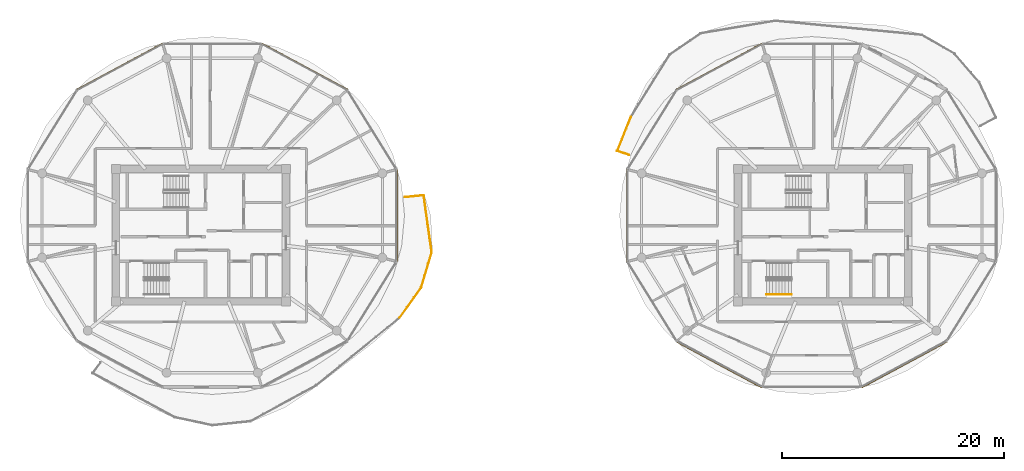
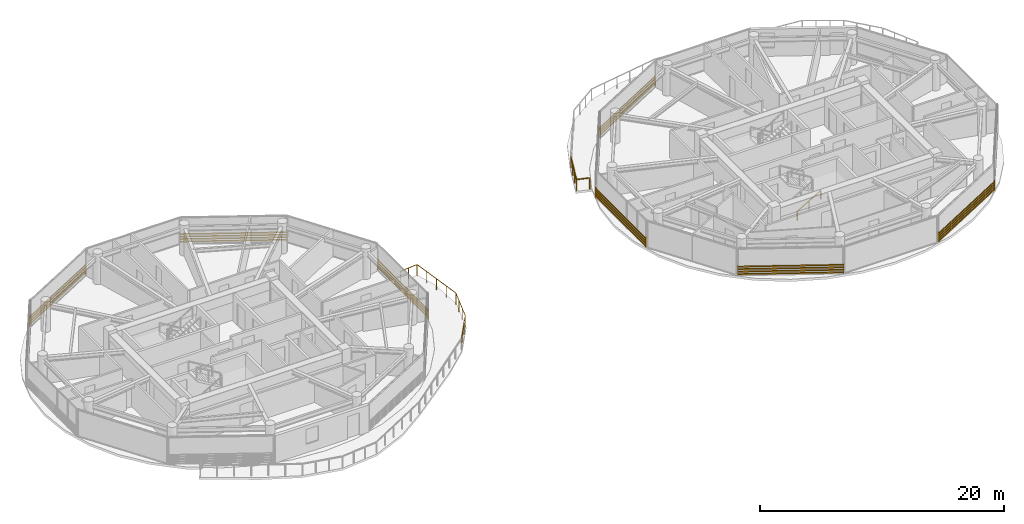
# One storey, part 20 of 22: 7 shading devices, 3 railings.
"""IFC4 building model written with IfcOpenShell, lengths in metres."""

import ifcopenshell
import ifcopenshell.guid

model = None  # the IFC model being written
_history = None  # IfcOwnerHistory: only IFC2X3 demands one
_inside = {}  # id of a spatial element -> (the spatial element, [elements in it])
_under = {}  # id of a project, library or spatial element -> (it, [spatial elements below it])
_declared = {}  # id of a project -> (the project, [libraries it declares])
_typed = {}  # id of a type object -> (the type object, [elements of that type])
_made_of = {}  # id of a material, layer set ... -> (it, [elements and type objects made of it])


def new_model(schema):
    """Start an empty IFC model of exactly this schema.

    Asked for "IFC4X3", IfcOpenShell would pick the latest addendum, in which some entities
    have other attributes; the version numbers below select the first issue.
    IFC2X3 requires an IfcOwnerHistory on every rooted entity: one is made here for all.
    """
    global model, _history
    if schema == "IFC4X3":
        model = ifcopenshell.file(schema_version=(4, 3, 0, 0))
    else:
        model = ifcopenshell.file(schema=schema)
    _inside.clear()
    _under.clear()
    _declared.clear()
    _typed.clear()
    _made_of.clear()
    _history = None
    if model.schema == "IFC2X3":
        org = make("IfcOrganization", Name="unknown")
        user = make(
            "IfcPersonAndOrganization",
            ThePerson=make("IfcPerson", FamilyName="unknown"),
            TheOrganization=org,
        )
        app = make(
            "IfcApplication",
            ApplicationDeveloper=org,
            Version="unknown",
            ApplicationFullName="unknown",
            ApplicationIdentifier="unknown",
        )
        _history = make(
            "IfcOwnerHistory",
            OwningUser=user,
            OwningApplication=app,
            ChangeAction="ADDED",
            CreationDate=0,
        )
    return model


def make(cls, **values):
    """One entity of the class cls with the attributes given. An attribute that is None is left unset."""
    return model.create_entity(
        cls, **{name: value for name, value in values.items() if value is not None}
    )


def rooted(cls, **values):
    """An entity with a GlobalId (a new one), such as an element, a storey or a relation."""
    return make(cls, GlobalId=ifcopenshell.guid.new(), OwnerHistory=_history, **values)


def si_unit(unit_type, name, prefix=None):
    """IfcSIUnit, for example si_unit("LENGTHUNIT", "METRE", prefix="MILLI")."""
    return make("IfcSIUnit", UnitType=unit_type, Prefix=prefix, Name=name)


def assignment(units):
    """IfcUnitAssignment: the units of a project."""
    return None if units is None else make("IfcUnitAssignment", Units=units)


def point(xyz):
    """IfcCartesianPoint."""
    return None if xyz is None else make("IfcCartesianPoint", Coordinates=xyz)


def direction(xyz):
    """IfcDirection."""
    return None if xyz is None else make("IfcDirection", DirectionRatios=xyz)


def frame(location, z_axis=None, x_axis=None):
    """IfcAxis2Placement3D, a coordinate frame: its origin and axes. An axis left out is left unset."""
    return make(
        "IfcAxis2Placement3D",
        Location=point(location),
        Axis=direction(z_axis),
        RefDirection=direction(x_axis),
    )


def frame_2d(location, x_axis=None):
    """IfcAxis2Placement2D, a coordinate frame in the plane: its origin and x axis."""
    return make(
        "IfcAxis2Placement2D", Location=point(location), RefDirection=direction(x_axis)
    )


def origin():
    """The frame at (0, 0, 0) with its axes left unset."""
    return frame((0.0, 0.0, 0.0))


def origin_2d():
    """The frame at (0, 0) in the plane with its x axis left unset."""
    return frame_2d((0.0, 0.0))


def place(relative_to, where):
    """IfcLocalPlacement: puts the frame where relative to a parent placement (None: the world)."""
    return make(
        "IfcLocalPlacement", PlacementRelTo=relative_to, RelativePlacement=where
    )


def context(
    kind, dimensions, precision=None, world=None, true_north=None, identifier=None
):
    """IfcGeometricRepresentationContext, for example the 3D "Model" context."""
    return make(
        "IfcGeometricRepresentationContext",
        ContextIdentifier=identifier,
        ContextType=kind,
        CoordinateSpaceDimension=dimensions,
        Precision=precision,
        WorldCoordinateSystem=world,
        TrueNorth=true_north,
    )


def subcontext(parent, identifier, kind, view, scale=None):
    """IfcGeometricRepresentationSubContext, for example "Body" below "Model"."""
    return make(
        "IfcGeometricRepresentationSubContext",
        ContextIdentifier=identifier,
        ContextType=kind,
        ParentContext=parent,
        TargetScale=scale,
        TargetView=view,
    )


def project(units=None, contexts=None):
    """IfcProject with its units and contexts."""
    return rooted(
        "IfcProject",
        Name="project",
        RepresentationContexts=contexts,
        UnitsInContext=assignment(units),
    )


def spatial(cls, under=None, at=None, **own):
    """A site, building, storey or space (cls), placed at a placement, below another one or the project."""
    s = rooted(cls, ObjectPlacement=at, **own)
    if under is not None:
        _under.setdefault(under.id(), (under, []))[1].append(s)
    return s


def profile(cls, at=None, kind="AREA", **sizes):
    """A parametric profile (cls). Its sizes go by their IFC names, for example OverallWidth=200.0."""
    return make(cls, ProfileType=kind, Position=at, **sizes)


def rectangle(**sizes):
    """IfcRectangleProfileDef."""
    return profile("IfcRectangleProfileDef", **sizes)


def extrude(swept, where, along, depth):
    """IfcExtrudedAreaSolid: the profile swept, set in the frame where, extruded along a direction by depth."""
    return make(
        "IfcExtrudedAreaSolid",
        SweptArea=swept,
        Position=where,
        ExtrudedDirection=direction(along),
        Depth=depth,
    )


def shape(context_of_items, identifier, shape_type, items):
    """IfcShapeRepresentation: the items that make up one representation, for example the "Body"."""
    return make(
        "IfcShapeRepresentation",
        ContextOfItems=context_of_items,
        RepresentationIdentifier=identifier,
        RepresentationType=shape_type,
        Items=items,
    )


def source(mapping_origin, context_of_items, identifier, shape_type, items):
    """IfcRepresentationMap: a shape defined once, which mapped items show again and again."""
    return make(
        "IfcRepresentationMap",
        MappingOrigin=mapping_origin,
        MappedRepresentation=shape(context_of_items, identifier, shape_type, items),
    )


def transform(
    local_origin,
    x_axis=None,
    y_axis=None,
    z_axis=None,
    scale=None,
    scale2=None,
    scale3=None,
    uniform=True,
):
    """IfcCartesianTransformationOperator3D, or its non-uniform kind. x_axis, y_axis, z_axis: its Axis1, 2, 3."""
    if uniform:
        return make(
            "IfcCartesianTransformationOperator3D",
            Axis1=direction(x_axis),
            Axis2=direction(y_axis),
            LocalOrigin=point(local_origin),
            Scale=scale,
            Axis3=direction(z_axis),
        )
    return make(
        "IfcCartesianTransformationOperator3DnonUniform",
        Axis1=direction(x_axis),
        Axis2=direction(y_axis),
        LocalOrigin=point(local_origin),
        Scale=scale,
        Axis3=direction(z_axis),
        Scale2=scale2,
        Scale3=scale3,
    )


def mapped(mapping_source, mapping_target):
    """IfcMappedItem: shows the shape of a source again, moved by a transform."""
    return make(
        "IfcMappedItem", MappingSource=mapping_source, MappingTarget=mapping_target
    )


def material(Name=None, Category=None):
    """IfcMaterial."""
    return make("IfcMaterial", Name=Name, Category=Category)


def made_of(thing, what):
    """Note that an element or type object is made of a material, layer set ...; save() writes the relation."""
    if what is not None:
        _made_of.setdefault(what.id(), (what, []))[1].append(thing)
    return thing


def type_object(cls, material=None, **own):
    """A type object (cls), such as IfcWallType, which elements share."""
    return made_of(rooted(cls, **own), material)


def type_shapes(of_type, sources):
    """Give a type object the sources (RepresentationMaps) that its elements show as mapped items."""
    of_type.RepresentationMaps = sources


def element(
    cls,
    number,
    at=None,
    inside=None,
    cuts=None,
    type_object=None,
    material=None,
    context=None,
    identifier="Body",
    shape_type=None,
    held_by="IfcProductDefinitionShape",
    body=None,
    shapes=None,
    **own,
):
    """One element of the class cls, such as IfcWall. Its Tag is "e" and its number.

    at: its placement. inside: the storey or other place that contains it. cuts: it is an
    opening in that element (IfcRelVoidsElement). A single representation is given by context,
    identifier, shape_type and body (its items); several are given by shapes. held_by: the class
    of the entity that holds the representations. save() writes the other relations.
    """
    e = rooted(cls, Tag="e%d" % number, ObjectPlacement=at, **own)
    if body is not None:
        shapes = [shape(context, identifier, shape_type, body)]
    if shapes is not None:
        e.Representation = make(held_by, Representations=shapes)
    if inside is not None:
        _inside.setdefault(inside.id(), (inside, []))[1].append(e)
    if cuts is not None:
        rooted(
            "IfcRelVoidsElement", RelatingBuildingElement=cuts, RelatedOpeningElement=e
        )
    if type_object is not None:
        _typed.setdefault(type_object.id(), (type_object, []))[1].append(e)
    return made_of(e, material)


def aggregate(whole, parts):
    """IfcRelAggregates: a whole, such as a stair, and the parts it consists of."""
    return rooted("IfcRelAggregates", RelatingObject=whole, RelatedObjects=parts)


def save(model, path):
    """Write the relations noted so far, then the file.

    IfcRelAggregates (storeys below a building ...), IfcRelContainedInSpatialStructure (elements
    in a storey), IfcRelDefinesByType, IfcRelAssociatesMaterial and IfcRelDeclares: one each for
    every whole, place, type object, material and project.
    """
    for whole, parts in _under.values():
        aggregate(whole, parts)
    for where, things in _inside.values():
        rooted(
            "IfcRelContainedInSpatialStructure",
            RelatedElements=things,
            RelatingStructure=where,
        )
    for kind, things in _typed.values():
        rooted("IfcRelDefinesByType", RelatedObjects=things, RelatingType=kind)
    for what, things in _made_of.values():
        rooted("IfcRelAssociatesMaterial", RelatedObjects=things, RelatingMaterial=what)
    for by, libraries in _declared.values():
        rooted("IfcRelDeclares", RelatingContext=by, RelatedDefinitions=libraries)
    model.write(path)


model = new_model("IFC4")

# Units and contexts
model_context = context("Model", 3, precision=1e-05, world=origin(), true_north=direction((0.0, 1.0)))
body_context = subcontext(model_context, "Body", "Model", "MODEL_VIEW")
ifc_project = project(units=[si_unit("LENGTHUNIT", "METRE"), si_unit("AREAUNIT", "SQUARE_METRE"), si_unit("VOLUMEUNIT", "CUBIC_METRE"), si_unit("PLANEANGLEUNIT", "RADIAN"), si_unit("MASSUNIT", "GRAM", prefix="KILO")], contexts=[model_context])

# Site, building, storey
site_placement = place(None, origin())
site = spatial("IfcSite", under=ifc_project, at=site_placement, CompositionType="ELEMENT")
building_placement = place(site_placement, origin())
building = spatial("IfcBuilding", under=site, at=building_placement, Name="Norrkilde Senior Care Towers", CompositionType="ELEMENT")
storey_placement = place(building_placement, frame((0.0, 0.0, 183.10009765625)))
storey = spatial("IfcBuildingStorey", under=building, at=storey_placement, Name="L57", CompositionType="ELEMENT", Elevation=183.10009765625)

# Railings
ifc_material_1 = material(Name="Anodised Aluminium", Category="aluminium")
railing_type_1 = type_object("IfcRailingType", Name="Balcony Swirl Ribbon Guardrail 1150", PredefinedType="GUARDRAIL", material=ifc_material_1)
railing_1_placement = place(storey_placement, frame((10.517333984375, 7.234375, 0.0)))
element("IfcRailing", 1, at=railing_1_placement, inside=storey, type_object=railing_type_1, Name="L57 Perimeter Safety Guard 02", PredefinedType="GUARDRAIL", context=body_context, shape_type="SweptSolid", body=[
    extrude(rectangle(XDim=0.048095703125, YDim=0.048095703125, at=origin_2d()), frame((0.0, 0.0, 1.1259765625), z_axis=(-0.950548119917, 0.310577320038, 0.0), x_axis=(-0.310577320038, -0.950548119917, 0.0)), (0.0, 0.0, 1.0), 1.06201171875),
    extrude(rectangle(XDim=0.048095703125, YDim=0.048095703125, at=origin_2d()), frame((-1.033203125, 0.38037109375, 1.1259765625), z_axis=(0.373175101878, 0.927760930056, 0.0), x_axis=(-0.927760930056, 0.373175101878, 0.0)), (0.0, 0.0, 1.0), 3.26025390625),
    extrude(rectangle(XDim=0.0419921875, YDim=0.0419921875, at=origin_2d()), origin(), (0.0, 0.0, 1.0), 1.099853515625),
    extrude(rectangle(XDim=0.0419921875, YDim=0.0419921875, at=origin_2d()), frame((-1.04833984375, 0.342529296875, 0.0)), (0.0, 0.0, 1.0), 1.099853515625),
    extrude(rectangle(XDim=0.0419921875, YDim=0.0419921875, at=origin_2d()), frame((-0.6376953125, 1.363525390625, 0.0)), (0.0, 0.0, 1.0), 1.099853515625),
    extrude(rectangle(XDim=0.0419921875, YDim=0.0419921875, at=origin_2d()), frame((-0.22705078125, 2.38427734375, 0.0)), (0.0, 0.0, 1.0), 1.099853515625),
    extrude(rectangle(XDim=0.0419921875, YDim=0.0419921875, at=origin_2d()), frame((0.18359375, 3.4052734375, 0.0)), (0.0, 0.0, 1.0), 1.099853515625),
])
railing_2_placement = place(storey_placement, frame((-9.64892578125, 3.422119140625, 0.0)))
element("IfcRailing", 2, at=railing_2_placement, inside=storey, type_object=railing_type_1, Name="L57 Perimeter Safety Guard 04", PredefinedType="GUARDRAIL", context=body_context, shape_type="SweptSolid", body=[
    extrude(rectangle(XDim=0.048095703125, YDim=0.048095703125, at=origin_2d()), frame((0.0, 0.0, 1.1259765625), z_axis=(0.995055514485, 0.099320305541, 0.0), x_axis=(-0.099320305541, 0.995055514485, 0.0)), (0.0, 0.0, 1.0), 1.67236328125),
    extrude(rectangle(XDim=0.048095703125, YDim=0.048095703125, at=origin_2d()), frame((1.71044921875, 0.129638671875, 1.1259765625), z_axis=(0.138828957945, -0.990316373911, 0.0), x_axis=(0.990316373911, 0.138828957945, 0.0)), (0.0, 0.0, 1.0), 5.100830078125),
    extrude(rectangle(XDim=0.048095703125, YDim=0.048095703125, at=origin_2d()), frame((2.41259765625, -5.001220703125, 1.1259765625), z_axis=(-0.286402585001, -0.95810936709, 0.0), x_axis=(0.95810936709, -0.286402585001, 0.0)), (0.0, 0.0, 1.0), 3.23583984375),
    extrude(rectangle(XDim=0.048095703125, YDim=0.048095703125, at=origin_2d()), frame((1.450439453125, -8.174072265625, 1.1259765625), z_axis=(-0.58150879308, -0.813540117984, 0.0), x_axis=(0.813540117984, -0.58150879308, 0.0)), (0.0, 0.0, 1.0), 3.287109375),
    extrude(rectangle(XDim=0.0419921875, YDim=0.0419921875, at=origin_2d()), origin(), (0.0, 0.0, 1.0), 1.099853515625),
    extrude(rectangle(XDim=0.0419921875, YDim=0.0419921875, at=origin_2d()), frame((0.8525390625, 0.0849609375, 0.0)), (0.0, 0.0, 1.0), 1.099853515625),
    extrude(rectangle(XDim=0.0419921875, YDim=0.0419921875, at=origin_2d()), frame((1.704833984375, 0.170166015625, 0.0)), (0.0, 0.0, 1.0), 1.099853515625),
    extrude(rectangle(XDim=0.0419921875, YDim=0.0419921875, at=origin_2d()), frame((1.884765625, -1.11279296875, 0.0)), (0.0, 0.0, 1.0), 1.099853515625),
    extrude(rectangle(XDim=0.0419921875, YDim=0.0419921875, at=origin_2d()), frame((2.064453125, -2.39599609375, 0.0)), (0.0, 0.0, 1.0), 1.099853515625),
    extrude(rectangle(XDim=0.0419921875, YDim=0.0419921875, at=origin_2d()), frame((2.244384765625, -3.67919921875, 0.0)), (0.0, 0.0, 1.0), 1.099853515625),
    extrude(rectangle(XDim=0.0419921875, YDim=0.0419921875, at=origin_2d()), frame((2.42431640625, -4.962158203125, 0.0)), (0.0, 0.0, 1.0), 1.099853515625),
    extrude(rectangle(XDim=0.0419921875, YDim=0.0419921875, at=origin_2d()), frame((2.107666015625, -6.021728515625, 0.0)), (0.0, 0.0, 1.0), 1.099853515625),
    extrude(rectangle(XDim=0.0419921875, YDim=0.0419921875, at=origin_2d()), frame((1.790771484375, -7.081298828125, 0.0)), (0.0, 0.0, 1.0), 1.099853515625),
    extrude(rectangle(XDim=0.0419921875, YDim=0.0419921875, at=origin_2d()), frame((1.47412109375, -8.140869140625, 0.0)), (0.0, 0.0, 1.0), 1.099853515625),
    extrude(rectangle(XDim=0.0419921875, YDim=0.0419921875, at=origin_2d()), frame((0.8291015625, -9.04345703125, 0.0)), (0.0, 0.0, 1.0), 1.099853515625),
    extrude(rectangle(XDim=0.0419921875, YDim=0.0419921875, at=origin_2d()), frame((0.183837890625, -9.94580078125, 0.0)), (0.0, 0.0, 1.0), 1.099853515625),
    extrude(rectangle(XDim=0.0419921875, YDim=0.0419921875, at=origin_2d()), frame((-0.461181640625, -10.848388671875, 0.0)), (0.0, 0.0, 1.0), 1.099853515625),
])
ifc_material_2 = material(Name="Nordic Ash Timber", Category="wood")
railing_type_2 = type_object("IfcRailingType", Name="Wall and Stair Handrail 900", PredefinedType="HANDRAIL", material=ifc_material_2)
railing_3_placement = place(storey_placement, frame((22.89990234375, -5.35009765625, 0.16943359375)))
element("IfcRailing", 3, at=railing_3_placement, inside=storey, type_object=railing_type_2, Name="L57 ST-E2 stair handrail 1", PredefinedType="HANDRAIL", context=body_context, shape_type="SweptSolid", body=[
    extrude(rectangle(XDim=0.048095703125, YDim=0.048095703125, at=origin_2d()), frame((0.0, 0.0, 0.8759765625), z_axis=(0.855553338991, 0.0, 0.51771467445), x_axis=(0.0, 1.0, 0.0)), (0.0, 0.0, 1.0), 2.6181640625),
    extrude(rectangle(XDim=0.0419921875, YDim=0.0419921875, at=origin_2d()), origin(), (0.0, 0.0, 1.0), 0.849853515625),
    extrude(rectangle(XDim=0.0419921875, YDim=0.0419921875, at=origin_2d()), frame((1.1201171875, 0.0, 0.677734375)), (0.0, 0.0, 1.0), 0.849853515625),
    extrude(rectangle(XDim=0.0419921875, YDim=0.0419921875, at=origin_2d()), frame((2.239990234375, 0.0, 1.35546875)), (0.0, 0.0, 1.0), 0.849853515625),
])

# Shading devices
ifc_material_3 = material(Name="Architectural Terracotta", Category="masonry")
shading_device_type = type_object("IfcShadingDeviceType", Name="Horizontal Terracotta Baguette Rack", PredefinedType="USERDEFINED", material=ifc_material_3)
shared_shape_1 = source(origin(), body_context, "Body", "SweptSolid", [
    extrude(rectangle(XDim=0.070068359375, YDim=0.110107421875, at=origin_2d()), frame((0.0, 0.090087890625, 0.125), z_axis=(1.0, 0.0, 0.0), x_axis=(0.0, 1.0, 0.0)), (0.0, 0.0, 1.0), 8.741943359375),
    extrude(rectangle(XDim=0.070068359375, YDim=0.110107421875, at=origin_2d()), frame((0.0, 0.090087890625, 0.375), z_axis=(1.0, 0.0, 0.0), x_axis=(0.0, 1.0, 0.0)), (0.0, 0.0, 1.0), 8.741943359375),
    extrude(rectangle(XDim=0.070068359375, YDim=0.110107421875, at=origin_2d()), frame((0.0, 0.090087890625, 0.625), z_axis=(1.0, 0.0, 0.0), x_axis=(0.0, 1.0, 0.0)), (0.0, 0.0, 1.0), 8.741943359375),
    extrude(rectangle(XDim=0.070068359375, YDim=0.110107421875, at=origin_2d()), frame((0.0, 0.090087890625, 0.875), z_axis=(1.0, 0.0, 0.0), x_axis=(0.0, 1.0, 0.0)), (0.0, 0.0, 1.0), 8.741943359375),
    extrude(rectangle(XDim=0.050048828125, YDim=0.1552734375, at=origin_2d()), frame((0.02490234375, 0.047607421875, 0.0)), (0.0, 0.0, 1.0), 1.0),
    extrude(rectangle(XDim=0.050048828125, YDim=0.1552734375, at=origin_2d()), frame((8.716796875, 0.047607421875, 0.0)), (0.0, 0.0, 1.0), 1.0),
])
for number, where, z_axis, x_axis, name in (
    (4, (-22.528564453125, 17.2109375, 0.079833984375), (0.0, 0.0, 1.0), (0.881000921608, -0.473119781048, 0.0), "L57 Drum W Terracotta Baguette Screen 01"),
    (5, (14.826904296875, 13.074951171875, 0.079833984375), (0.0, 0.0, 1.0), (0.881000921608, 0.473119781048, 0.0), "L57 Drum E Terracotta Baguette Screen 03"),
    (6, (22.528564453125, -13.66015625, 0.079833984375), (0.0, 0.0, 1.0), (-0.881000921608, 0.473119781048, 0.0), "L57 Drum E Terracotta Baguette Screen 07"),
):
    element("IfcShadingDevice", number, at=place(storey_placement, frame(where, z_axis=z_axis, x_axis=x_axis)), inside=storey, type_object=shading_device_type, Name=name, ObjectType="BAGUETTE", PredefinedType="USERDEFINED", context=body_context, shape_type="MappedRepresentation", body=[
        mapped(shared_shape_1, transform((0.0, 0.0, 0.0), x_axis=(1.0, 0.0, 0.0), y_axis=(0.0, 1.0, 0.0), z_axis=(0.0, 0.0, 1.0), scale=1.0)),
    ])
shared_shape_2 = source(origin(), body_context, "Body", "SweptSolid", [
    extrude(rectangle(XDim=0.070068359375, YDim=0.110107421875, at=origin_2d()), frame((0.0, 0.090087890625, 0.125), z_axis=(1.0, 0.0, 0.0), x_axis=(0.0, 1.0, 0.0)), (0.0, 0.0, 1.0), 8.74169921875),
    extrude(rectangle(XDim=0.070068359375, YDim=0.110107421875, at=origin_2d()), frame((0.0, 0.090087890625, 0.375), z_axis=(1.0, 0.0, 0.0), x_axis=(0.0, 1.0, 0.0)), (0.0, 0.0, 1.0), 8.74169921875),
    extrude(rectangle(XDim=0.070068359375, YDim=0.110107421875, at=origin_2d()), frame((0.0, 0.090087890625, 0.625), z_axis=(1.0, 0.0, 0.0), x_axis=(0.0, 1.0, 0.0)), (0.0, 0.0, 1.0), 8.74169921875),
    extrude(rectangle(XDim=0.070068359375, YDim=0.110107421875, at=origin_2d()), frame((0.0, 0.090087890625, 0.875), z_axis=(1.0, 0.0, 0.0), x_axis=(0.0, 1.0, 0.0)), (0.0, 0.0, 1.0), 8.74169921875),
    extrude(rectangle(XDim=0.050048828125, YDim=0.1552734375, at=origin_2d()), frame((0.02490234375, 0.047607421875, 0.0)), (0.0, 0.0, 1.0), 1.0),
    extrude(rectangle(XDim=0.050048828125, YDim=0.1552734375, at=origin_2d()), frame((8.716796875, 0.047607421875, 0.0)), (0.0, 0.0, 1.0), 1.0),
])
for number, where, z_axis, x_axis, name in (
    (7, (-39.123046875, 13.074951171875, 0.079833984375), (0.0, 0.0, 1.0), (0.880997598168, 0.47313299447, 0.0), "L57 Drum W Terracotta Baguette Screen 03"),
    (8, (39.123046875, -9.524169921875, 0.079833984375), (0.0, 0.0, 1.0), (-0.880997598168, -0.47313299447, 0.0), "L57 Drum E Terracotta Baguette Screen 09"),
):
    element("IfcShadingDevice", number, at=place(storey_placement, frame(where, z_axis=z_axis, x_axis=x_axis)), inside=storey, type_object=shading_device_type, Name=name, ObjectType="BAGUETTE", PredefinedType="USERDEFINED", context=body_context, shape_type="MappedRepresentation", body=[
        mapped(shared_shape_2, transform((0.0, 0.0, 0.0), x_axis=(1.0, 0.0, 0.0), y_axis=(0.0, 1.0, 0.0), z_axis=(0.0, 0.0, 1.0), scale=1.0)),
    ])
shared_shape_3 = source(origin(), body_context, "Body", "SweptSolid", [
    extrude(rectangle(XDim=0.070068359375, YDim=0.110107421875, at=origin_2d()), frame((0.0, 0.090087890625, 0.125), z_axis=(1.0, 0.0, 0.0), x_axis=(0.0, 1.0, 0.0)), (0.0, 0.0, 1.0), 8.27197265625),
    extrude(rectangle(XDim=0.070068359375, YDim=0.110107421875, at=origin_2d()), frame((0.0, 0.090087890625, 0.375), z_axis=(1.0, 0.0, 0.0), x_axis=(0.0, 1.0, 0.0)), (0.0, 0.0, 1.0), 8.27197265625),
    extrude(rectangle(XDim=0.070068359375, YDim=0.110107421875, at=origin_2d()), frame((0.0, 0.090087890625, 0.625), z_axis=(1.0, 0.0, 0.0), x_axis=(0.0, 1.0, 0.0)), (0.0, 0.0, 1.0), 8.27197265625),
    extrude(rectangle(XDim=0.070068359375, YDim=0.110107421875, at=origin_2d()), frame((0.0, 0.090087890625, 0.875), z_axis=(1.0, 0.0, 0.0), x_axis=(0.0, 1.0, 0.0)), (0.0, 0.0, 1.0), 8.27197265625),
    extrude(rectangle(XDim=0.050048828125, YDim=0.1552734375, at=origin_2d()), frame((0.02490234375, 0.047607421875, 0.0)), (0.0, 0.0, 1.0), 1.0),
    extrude(rectangle(XDim=0.050048828125, YDim=0.1552734375, at=origin_2d()), frame((8.2470703125, 0.047607421875, 0.0)), (0.0, 0.0, 1.0), 1.0),
])
type_shapes(shading_device_type, [shared_shape_1, shared_shape_2, shared_shape_3])
for number, where, z_axis, x_axis, name in (
    (9, (-10.38037109375, 5.911376953125, 0.079833984375), (0.0, 0.0, 1.0), (0.0, -1.0, 0.0), "L57 Drum W Terracotta Baguette Screen 11"),
    (10, (10.38037109375, -2.360595703125, 0.079833984375), (0.0, 0.0, 1.0), (0.0, 1.0, 0.0), "L57 Drum E Terracotta Baguette Screen 05"),
):
    element("IfcShadingDevice", number, at=place(storey_placement, frame(where, z_axis=z_axis, x_axis=x_axis)), inside=storey, type_object=shading_device_type, Name=name, ObjectType="BAGUETTE", PredefinedType="USERDEFINED", context=body_context, shape_type="MappedRepresentation", body=[
        mapped(shared_shape_3, transform((0.0, 0.0, 0.0), x_axis=(1.0, 0.0, 0.0), y_axis=(0.0, 1.0, 0.0), z_axis=(0.0, 0.0, 1.0), scale=1.0)),
    ])

save(model, "model.ifc")
